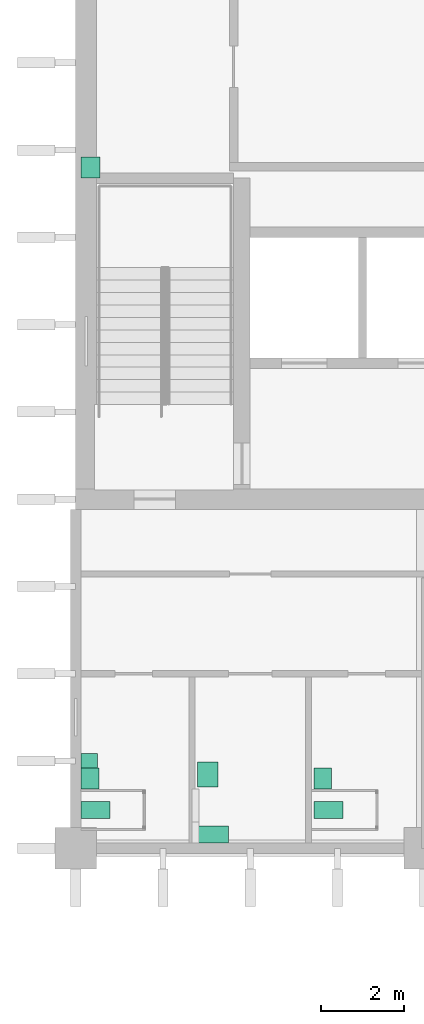
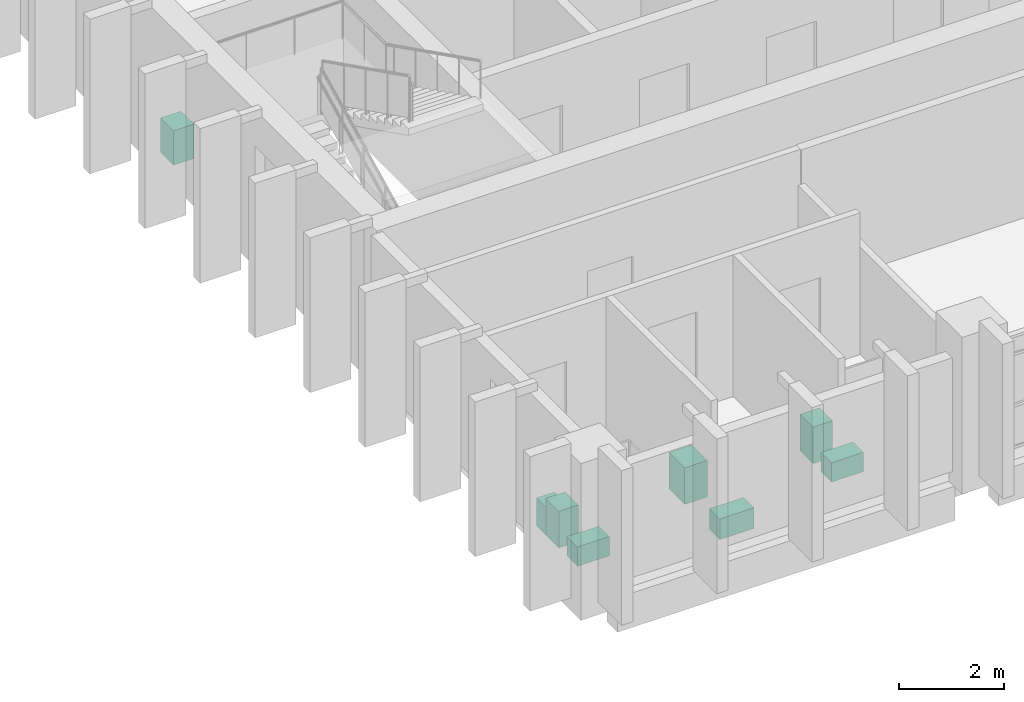
# One storey, part 24 of 24: 8 sanitary terminals.
"""IFC4 building model written with IfcOpenShell, lengths in metres."""

from ifc_helpers import new_model, si_unit, direction, frame, origin, origin_2d, place, context, subcontext, project, spatial, rectangle, extrude, material, type_object, element, save


model = new_model("IFC4")

# Units and contexts
model_context = context("Model", 3, precision=1e-05, world=origin(), true_north=direction((0.0, 1.0)))
body_context = subcontext(model_context, "Body", "Model", "MODEL_VIEW")
ifc_project = project(units=[si_unit("LENGTHUNIT", "METRE"), si_unit("AREAUNIT", "SQUARE_METRE"), si_unit("VOLUMEUNIT", "CUBIC_METRE"), si_unit("PLANEANGLEUNIT", "RADIAN"), si_unit("MASSUNIT", "GRAM", prefix="KILO")], contexts=[model_context])

# Site, building, storey
site_placement = place(None, origin())
site = spatial("IfcSite", under=ifc_project, at=site_placement, CompositionType="ELEMENT")
building_placement = place(site_placement, origin())
building = spatial("IfcBuilding", under=site, at=building_placement, Name="Rulbaag Community and Learning Centre", CompositionType="ELEMENT")
storey_placement = place(building_placement, frame((0.0, 0.0, 14.39990234375)))
storey = spatial("IfcBuildingStorey", under=building, at=storey_placement, Name="L03", CompositionType="ELEMENT", Elevation=14.39990234375)

# Sanitary terminals
ifc_material_1 = material(Name="Vitreous china", Category="ceramic")
sanitary_terminal_type_1 = type_object("IfcSanitaryTerminalType", Name="BS-500", PredefinedType="WASHHANDBASIN", material=ifc_material_1)
for number, where, z_axis, x_axis, name in (
    (1, (143.14501953125, 85.679931640625, 0.0), (0.0, 0.0, 1.0), (1.0, 0.0, 0.0), "Basin 72"),
    (2, (148.7451171875, 85.679931640625, 0.0), (0.0, 0.0, 1.0), (1.0, 0.0, 0.0), "Basin 73"),
):
    element("IfcSanitaryTerminal", number, at=place(storey_placement, frame(where, z_axis=z_axis, x_axis=x_axis)), inside=storey, type_object=sanitary_terminal_type_1, Name=name, PredefinedType="WASHHANDBASIN", context=body_context, shape_type="SweptSolid", body=[
        extrude(rectangle(XDim=0.429931640625, YDim=0.5, at=origin_2d()), origin(), (0.0, 0.0, 1.0), 0.85009765625),
    ])
sanitary_terminal_type_2 = type_object("IfcSanitaryTerminalType", Name="BS-AC-600", PredefinedType="WASHHANDBASIN", material=ifc_material_1)
sanitary_terminal_1_placement = place(storey_placement, frame((145.97998046875, 85.780029296875, 0.0), z_axis=(0.0, 0.0, 1.0), x_axis=(1.0, 0.0, 0.0)))
element("IfcSanitaryTerminal", 3, at=sanitary_terminal_1_placement, inside=storey, type_object=sanitary_terminal_type_2, Name="Basin 74", PredefinedType="WASHHANDBASIN", context=body_context, shape_type="SweptSolid", body=[
    extrude(rectangle(XDim=0.5, YDim=0.60009765625, at=origin_2d()), origin(), (0.0, 0.0, 1.0), 0.85009765625),
])
ifc_material_2 = material(Name="Stainless steel", Category="steel")
sanitary_terminal_type_3 = type_object("IfcSanitaryTerminalType", Name="SK-CL-500", PredefinedType="SINK", material=ifc_material_2)
sanitary_terminal_2_placement = place(storey_placement, frame((143.155029296875, 100.3798828125, 0.0), z_axis=(0.0, 0.0, 1.0), x_axis=(1.0, 0.0, 0.0)))
element("IfcSanitaryTerminal", 4, at=sanitary_terminal_2_placement, inside=storey, type_object=sanitary_terminal_type_3, Name="Sink 12", PredefinedType="SINK", context=body_context, shape_type="SweptSolid", body=[
    extrude(rectangle(XDim=0.449951171875, YDim=0.5, at=origin_2d()), origin(), (0.0, 0.0, 1.0), 0.800048828125),
])
sanitary_terminal_type_4 = type_object("IfcSanitaryTerminalType", Name="UR-350", PredefinedType="URINAL", material=ifc_material_1)
sanitary_terminal_3_placement = place(storey_placement, frame((143.1298828125, 86.10498046875, 0.000244140625), z_axis=(0.0, 0.0, 1.0), x_axis=(1.0, 0.0, 0.0)))
element("IfcSanitaryTerminal", 5, at=sanitary_terminal_3_placement, inside=storey, type_object=sanitary_terminal_type_4, Name="Urinal 153", PredefinedType="URINAL", context=body_context, shape_type="SweptSolid", body=[
    extrude(rectangle(XDim=0.39990234375, YDim=0.35009765625, at=origin_2d()), origin(), (0.0, 0.0, 1.0), 0.64990234375),
])
sanitary_terminal_type_5 = type_object("IfcSanitaryTerminalType", Name="WC-400", PredefinedType="TOILETPAN", material=ifc_material_1)
for number, where, z_axis, x_axis, name in (
    (6, (143.280029296875, 84.919921875, 0.0), (0.0, 0.0, 1.0), (1.0, 0.0, 0.0), "WC 129"),
    (7, (148.8798828125, 84.919921875, 0.0), (0.0, 0.0, 1.0), (1.0, 0.0, 0.0), "WC 130"),
):
    element("IfcSanitaryTerminal", number, at=place(storey_placement, frame(where, z_axis=z_axis, x_axis=x_axis)), inside=storey, type_object=sanitary_terminal_type_5, Name=name, PredefinedType="TOILETPAN", context=body_context, shape_type="SweptSolid", body=[
        extrude(rectangle(XDim=0.699951171875, YDim=0.39990234375, at=origin_2d()), origin(), (0.0, 0.0, 1.0), 0.449951171875),
    ])
sanitary_terminal_type_6 = type_object("IfcSanitaryTerminalType", Name="WC-AC-480", PredefinedType="TOILETPAN", material=ifc_material_1)
sanitary_terminal_4_placement = place(storey_placement, frame((146.10498046875, 84.330078125, 0.0), z_axis=(0.0, 0.0, 1.0), x_axis=(1.0, 0.0, 0.0)))
element("IfcSanitaryTerminal", 8, at=sanitary_terminal_4_placement, inside=storey, type_object=sanitary_terminal_type_6, Name="WC 131", PredefinedType="TOILETPAN", context=body_context, shape_type="SweptSolid", body=[
    extrude(rectangle(XDim=0.75, YDim=0.39990234375, at=origin_2d()), origin(), (0.0, 0.0, 1.0), 0.47998046875),
])

save(model, "model.ifc")
